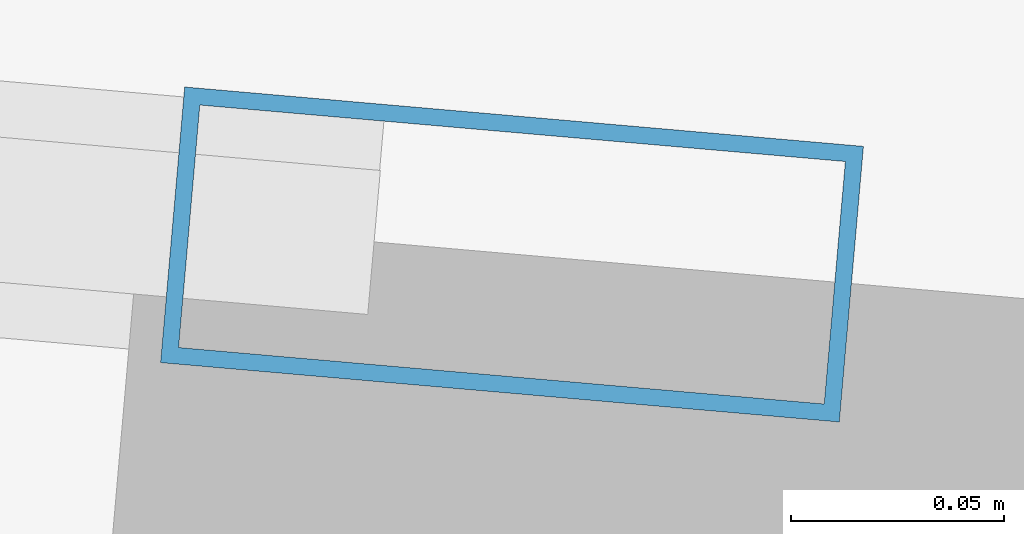
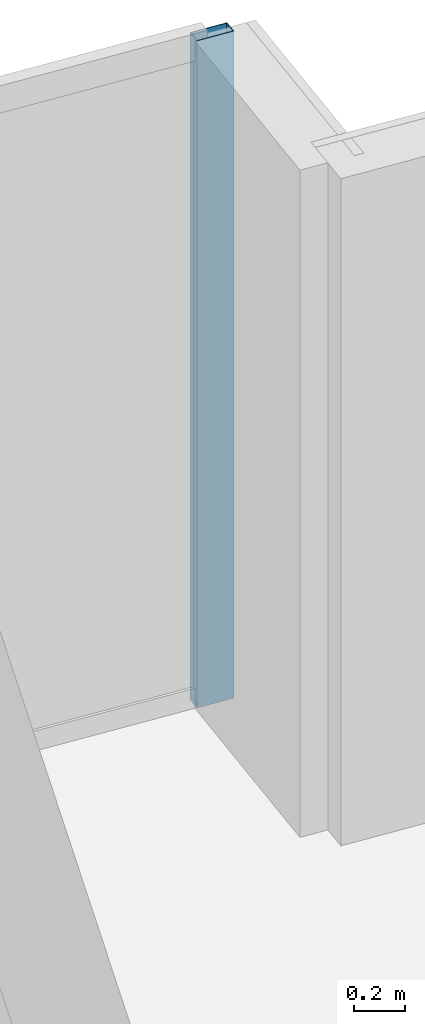
# One storey, part 22 of 33: 1 member, 1 element without a shape of its own.
"""IFC4 building model written with IfcOpenShell, lengths in metres."""

from ifc_helpers import new_model, si_unit, direction, frame, origin, origin_2d, place, context, subcontext, project, spatial, hollow_rectangle, extrude, material, material_profile, profile_set, type_object, element, aggregate, save


model = new_model("IFC4")

# Units and contexts
model_context = context("Model", 3, precision=1e-05, world=origin(), true_north=direction((0.0, 1.0)))
body_context = subcontext(model_context, "Body", "Model", "MODEL_VIEW")
ifc_project = project(units=[si_unit("LENGTHUNIT", "METRE"), si_unit("AREAUNIT", "SQUARE_METRE"), si_unit("VOLUMEUNIT", "CUBIC_METRE"), si_unit("PLANEANGLEUNIT", "RADIAN"), si_unit("MASSUNIT", "GRAM", prefix="KILO")], contexts=[model_context])

# Site, building, storey
site_placement = place(None, origin())
site = spatial("IfcSite", under=ifc_project, at=site_placement, CompositionType="ELEMENT")
building_placement = place(site_placement, origin())
building = spatial("IfcBuilding", under=site, at=building_placement, Name="Yelkora Congress Tower", CompositionType="ELEMENT")
storey_placement = place(building_placement, frame((0.0, 0.0, 286.300048828125)))
storey = spatial("IfcBuildingStorey", under=building, at=storey_placement, Name="L80", CompositionType="ELEMENT", Elevation=286.300048828125)

# Curtain wall, member
ifc_material_1 = material(Name="Anodised aluminium and insulated glass", Category="aluminium")
curtain_wall_type = type_object("IfcCurtainWallType", Name="CW-SYS-B5", PredefinedType="NOTDEFINED", material=ifc_material_1)
curtain_wall_placement = place(storey_placement, origin())
curtain_wall = element("IfcCurtainWall", 1, at=curtain_wall_placement, inside=storey, type_object=curtain_wall_type, Name="L80 Unitised Curtain Wall 10", PredefinedType="NOTDEFINED")
ifc_material_2 = material(Name="Anodised aluminium 6063-T6", Category="aluminium")
ifc_material_profile = material_profile(ifc_material_2, hollow_rectangle(XDim=0.06494140625, YDim=0.159912109375, WallThickness=0.00390625, at=origin_2d()), Name="ALU 65x160x4")
ifc_profile_set = profile_set([ifc_material_profile], Name="Anodised aluminium 6063-T6")
member_type = type_object("IfcMemberType", Name="MEM-ML-B5", PredefinedType="MULLION", material=ifc_profile_set)
member_placement = place(storey_placement, frame((55.753662109375, 46.44580078125, 0.0), z_axis=(0.0, 0.0, 1.0), x_axis=(0.087156639893, 0.996194619601, 0.0)))
member = element("IfcMember", 2, at=member_placement, type_object=member_type, Name="CW-B5 mullion 8", PredefinedType="MULLION", context=body_context, shape_type="SweptSolid", body=[
    extrude(hollow_rectangle(XDim=0.06494140625, YDim=0.159912109375, WallThickness=0.00390625, at=origin_2d()), origin(), (0.0, 0.0, 1.0), 3.179931640625),
])
aggregate(curtain_wall, [member])

save(model, "model.ifc")
